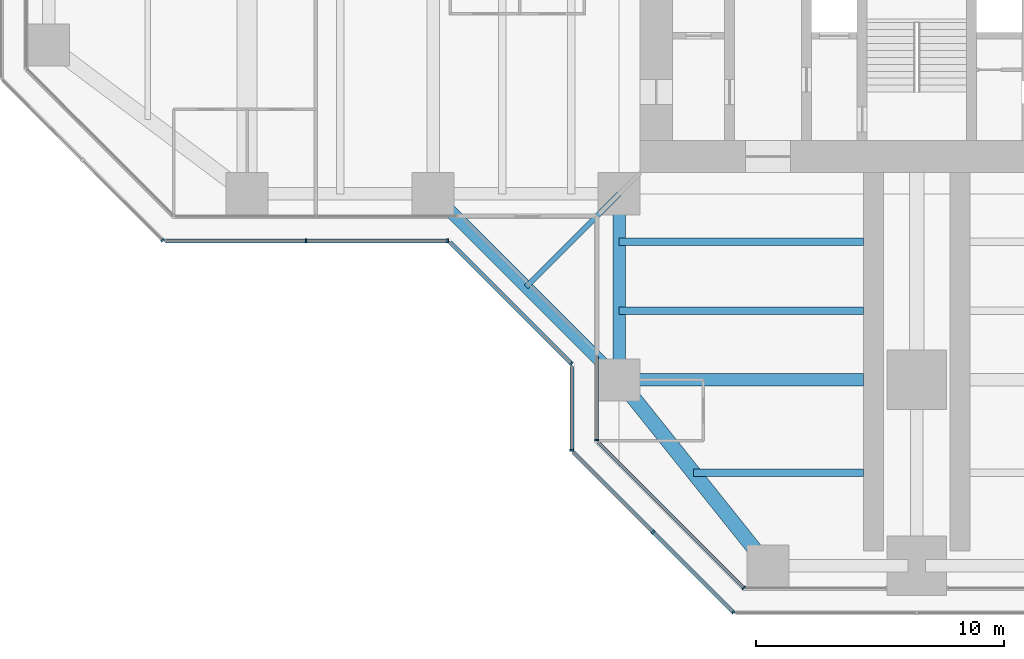
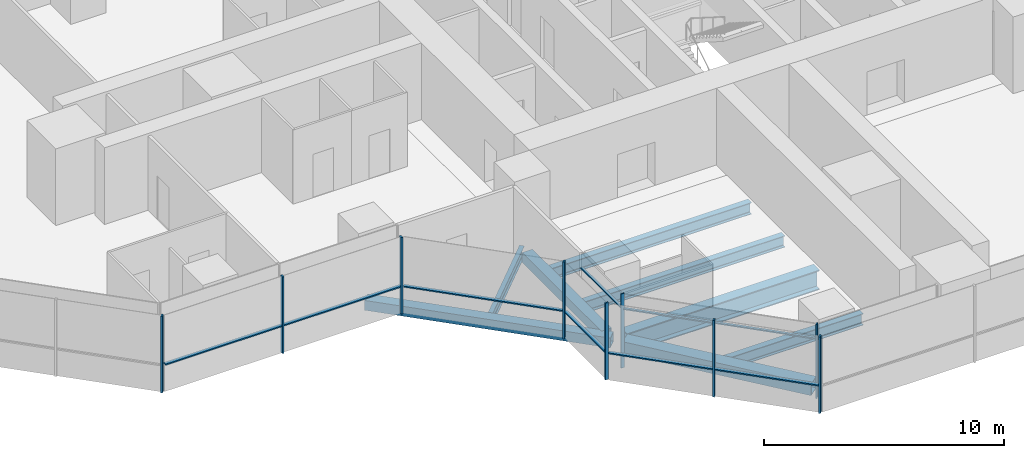
# One storey, part 2 of 20: 17 members, 8 beams, 7 elements without a shape of their own.
"""IFC4 building model written with IfcOpenShell, lengths in metres."""

from ifc_helpers import new_model, si_unit, direction, frame, origin, origin_2d, place, context, subcontext, project, spatial, rectangle, hollow_rectangle, i_section, extrude, material, material_profile, profile_set, type_object, element, aggregate, save


model = new_model("IFC4")

# Units and contexts
model_context = context("Model", 3, precision=1e-05, world=origin(), true_north=direction((0.0, 1.0)))
body_context = subcontext(model_context, "Body", "Model", "MODEL_VIEW")
ifc_project = project(units=[si_unit("LENGTHUNIT", "METRE"), si_unit("AREAUNIT", "SQUARE_METRE"), si_unit("VOLUMEUNIT", "CUBIC_METRE"), si_unit("PLANEANGLEUNIT", "RADIAN"), si_unit("MASSUNIT", "GRAM", prefix="KILO")], contexts=[model_context])

# Site, building, storey
site_placement = place(None, origin())
site = spatial("IfcSite", under=ifc_project, at=site_placement, CompositionType="ELEMENT")
building_placement = place(site_placement, origin())
building = spatial("IfcBuilding", under=site, at=building_placement, Name="Mizan Broadcast Tower", CompositionType="ELEMENT")
storey_placement = place(building_placement, frame((0.0, 0.0, 143.699951171875)))
storey = spatial("IfcBuildingStorey", under=building, at=storey_placement, Name="L32", CompositionType="ELEMENT", Elevation=143.699951171875)

# Beams
ifc_material_1 = material(Name="Steel S355", Category="steel")
ifc_material_profile_1 = material_profile(ifc_material_1, hollow_rectangle(XDim=0.5, YDim=0.5, WallThickness=0.030029296875, at=origin_2d()), Name="BOX 500x500x30")
ifc_profile_set_1 = profile_set([ifc_material_profile_1], Name="Steel S355")
beam_type_1 = type_object("IfcBeamType", Name="EDGE BEAM BOX 500x500x30", PredefinedType="SPANDREL", material=ifc_profile_set_1)
beam_1_placement = place(storey_placement, frame((-12.0, -12.449951171875, -0.3798828125), z_axis=(0.0, -1.0, 0.0), x_axis=(1.0, 0.0, 0.0)))
element("IfcBeam", 1, at=beam_1_placement, inside=storey, type_object=beam_type_1, Name="Edge beam BOX 500x500x30 L32 south arm", PredefinedType="SPANDREL", context=body_context, shape_type="SweptSolid", body=[
    extrude(hollow_rectangle(XDim=0.5, YDim=0.5, WallThickness=0.030029296875, at=origin_2d()), origin(), (0.0, 0.0, 1.0), 6.60009765625),
])
beam_2_placement = place(storey_placement, frame((-19.5, -12.0, -0.3798828125), z_axis=(0.707106781187, -0.707106781187, 0.0), x_axis=(0.707106781187, 0.707106781187, 0.0)))
element("IfcBeam", 2, at=beam_2_placement, inside=storey, type_object=beam_type_1, Name="Winter garden edge beam L32 W", PredefinedType="SPANDREL", context=body_context, shape_type="SweptSolid", body=[
    extrude(hollow_rectangle(XDim=0.5, YDim=0.5, WallThickness=0.030029296875, at=origin_2d()), origin(), (0.0, 0.0, 1.0), 10.606689453125),
])
ifc_material_2 = material(Name="Steel S355", Category="steel")
ifc_material_profile_2 = material_profile(ifc_material_2, hollow_rectangle(XDim=0.60009765625, YDim=0.60009765625, WallThickness=0.030029296875, at=origin_2d()), Name="BOX 600x600x30")
ifc_profile_set_2 = profile_set([ifc_material_profile_2], Name="Steel S355")
beam_type_2 = type_object("IfcBeamType", Name="EDGE BEAM BOX 600x600x30", PredefinedType="SPANDREL", material=ifc_profile_set_2)
beam_3_placement = place(storey_placement, frame((-11.639892578125, -19.949951171875, -0.429931640625), z_axis=(0.624673911726, -0.780885717636, 0.0), x_axis=(0.780885717636, 0.624673911726, 0.0)))
element("IfcBeam", 3, at=beam_3_placement, inside=storey, type_object=beam_type_2, Name="Edge beam BOX 600x600x30 L32 south arm", PredefinedType="SPANDREL", context=body_context, shape_type="SweptSolid", body=[
    extrude(hollow_rectangle(XDim=0.60009765625, YDim=0.60009765625, WallThickness=0.030029296875, at=origin_2d()), origin(), (0.0, 0.0, 1.0), 8.4521484375),
])
ifc_material_3 = material(Name="Steel S460", Category="steel")
ifc_material_profile_3 = material_profile(ifc_material_3, i_section(OverallWidth=0.5, OverallDepth=1.0, WebThickness=0.02490234375, FlangeThickness=0.050048828125, at=origin_2d()), Name="WPG 1000x500")
ifc_profile_set_3 = profile_set([ifc_material_profile_3], Name="Steel S460")
beam_type_3 = type_object("IfcBeamType", Name="GIRDER WPG 1000x500", PredefinedType="BEAM", material=ifc_profile_set_3)
beam_4_placement = place(storey_placement, frame((-11.408935546875, -19.5, -0.6298828125), z_axis=(1.0, 0.0, 0.0), x_axis=(0.0, 1.0, 0.0)))
element("IfcBeam", 4, at=beam_4_placement, inside=storey, type_object=beam_type_3, Name="Girder WPG 1000x500 L32 south arm", PredefinedType="BEAM", context=body_context, shape_type="SweptSolid", body=[
    extrude(i_section(OverallWidth=0.5, OverallDepth=1.0, WebThickness=0.02490234375, FlangeThickness=0.050048828125, at=origin_2d()), origin(), (0.0, 0.0, 1.0), 9.259033203125),
])

# Curtain wall, member
ifc_material_4 = material(Name="Aluminium framed glazing", Category="aluminium")
curtain_wall_type_1 = type_object("IfcCurtainWallType", Name="INNER SKIN MID ZONE", PredefinedType="USERDEFINED", material=ifc_material_4)
curtain_wall_1_placement = place(storey_placement, origin())
curtain_wall_1 = element("IfcCurtainWall", 5, at=curtain_wall_1_placement, inside=storey, type_object=curtain_wall_type_1, Name="Inner skin mid zone L32 S side", ObjectType="INNER SKIN MID ZONE", PredefinedType="USERDEFINED")
ifc_material_5 = material(Name="Aluminium, pale anodised", Category="aluminium")
ifc_material_profile_4 = material_profile(ifc_material_5, rectangle(XDim=0.159912109375, YDim=0.06005859375, at=origin_2d()), Name="MULLION 160x60")
ifc_profile_set_4 = profile_set([ifc_material_profile_4], Name="Aluminium, pale anodised")
member_type_1 = type_object("IfcMemberType", Name="INNER SKIN MULLION 60x160", PredefinedType="MULLION", material=ifc_profile_set_4)
member_1_placement = place(storey_placement, frame((-12.89990234375, -21.928466796875, 0.0), z_axis=(0.0, 0.0, 1.0), x_axis=(1.0, 0.0, 0.0)))
member_1 = element("IfcMember", 6, at=member_1_placement, type_object=member_type_1, Name="Inner skin mid zone L32 S side mullion 2", PredefinedType="MULLION", context=body_context, shape_type="SweptSolid", body=[
    extrude(rectangle(XDim=0.159912109375, YDim=0.06005859375, at=origin_2d()), origin(), (0.0, 0.0, 1.0), 3.77001953125),
])

curtain_wall_2_placement = place(storey_placement, origin())
curtain_wall_2 = element("IfcCurtainWall", 7, at=curtain_wall_2_placement, inside=storey, type_object=curtain_wall_type_1, Name="Inner skin mid zone L32 S chamfer", ObjectType="INNER SKIN MID ZONE", PredefinedType="USERDEFINED")
member_2_placement = place(storey_placement, frame((-6.979736328125, -27.87890625, 0.0), z_axis=(0.0, 0.0, 1.0), x_axis=(0.707106781187, 0.707106781187, 0.0)))
member_2 = element("IfcMember", 8, at=member_2_placement, type_object=member_type_1, Name="Inner skin mid zone L32 S chamfer mullion 2", PredefinedType="MULLION", context=body_context, shape_type="SweptSolid", body=[
    extrude(rectangle(XDim=0.159912109375, YDim=0.06005859375, at=origin_2d()), origin(), (0.0, 0.0, 1.0), 3.77001953125),
])

# Member
ifc_material_6 = material(Name="Aluminium, pale anodised", Category="aluminium")
ifc_material_profile_5 = material_profile(ifc_material_6, rectangle(XDim=0.1201171875, YDim=0.06005859375, at=origin_2d()), Name="TRANSOM 120x60")
ifc_profile_set_5 = profile_set([ifc_material_profile_5], Name="Aluminium, pale anodised")
member_type_2 = type_object("IfcMemberType", Name="INNER SKIN TRANSOM 60x120", PredefinedType="USERDEFINED", material=ifc_profile_set_5)
member_3_placement = place(storey_placement, frame((-12.89990234375, -18.56005859375, 3.030029296875), z_axis=(0.0, -1.0, 0.0), x_axis=(1.0, 0.0, 0.0)))
member_3 = element("IfcMember", 9, at=member_3_placement, type_object=member_type_2, Name="Inner skin mid zone L32 S side transom 1.1", ObjectType="TRANSOM", PredefinedType="USERDEFINED", context=body_context, shape_type="SweptSolid", body=[
    extrude(rectangle(XDim=0.1201171875, YDim=0.06005859375, at=origin_2d()), origin(), (0.0, 0.0, 1.0), 3.338623046875),
])

aggregate(curtain_wall_1, [member_1, member_3])

member_4_placement = place(storey_placement, frame((-12.857666015625, -22.0009765625, 3.030029296875), z_axis=(0.707106781187, -0.707106781187, 0.0), x_axis=(0.707106781187, 0.707106781187, 0.0)))
member_4 = element("IfcMember", 10, at=member_4_placement, type_object=member_type_2, Name="Inner skin mid zone L32 S chamfer transom 1.1", ObjectType="TRANSOM", PredefinedType="USERDEFINED", context=body_context, shape_type="SweptSolid", body=[
    extrude(rectangle(XDim=0.1201171875, YDim=0.06005859375, at=origin_2d()), origin(), (0.0, 0.0, 1.0), 8.28271484375),
])

aggregate(curtain_wall_2, [member_2, member_4])

# Curtain wall, member
ifc_material_7 = material(Name="Aluminium framed glazing", Category="aluminium")
curtain_wall_type_2 = type_object("IfcCurtainWallType", Name="OUTER SKIN", PredefinedType="USERDEFINED", material=ifc_material_7)
curtain_wall_3_placement = place(storey_placement, origin())
curtain_wall_3 = element("IfcCurtainWall", 11, at=curtain_wall_3_placement, inside=storey, type_object=curtain_wall_type_2, Name="Outer skin L32 W chamfer", ObjectType="OUTER SKIN", PredefinedType="USERDEFINED")
ifc_material_8 = material(Name="Aluminium, pale anodised", Category="aluminium")
ifc_material_profile_6 = material_profile(ifc_material_8, rectangle(XDim=0.159912109375, YDim=0.080078125, at=origin_2d()), Name="MULLION 160x80")
ifc_profile_set_6 = profile_set([ifc_material_profile_6], Name="Aluminium, pale anodised")
member_type_3 = type_object("IfcMemberType", Name="OUTER SKIN MULLION 80x160", PredefinedType="MULLION", material=ifc_profile_set_6)
member_5_placement = place(storey_placement, frame((-30.401123046875, -13.871826171875, 0.0), z_axis=(0.0, 0.0, 1.0), x_axis=(0.707106781187, 0.707106781187, 0.0)))
member_5 = element("IfcMember", 12, at=member_5_placement, type_object=member_type_3, Name="Outer skin L32 W chamfer mullion 3", PredefinedType="MULLION", context=body_context, shape_type="SweptSolid", body=[
    extrude(rectangle(XDim=0.159912109375, YDim=0.080078125, at=origin_2d()), origin(), (0.0, 0.0, 1.0), 3.900146484375),
])
aggregate(curtain_wall_3, [member_5])

# Curtain wall, members
curtain_wall_4_placement = place(storey_placement, origin())
curtain_wall_4 = element("IfcCurtainWall", 13, at=curtain_wall_4_placement, inside=storey, type_object=curtain_wall_type_2, Name="Outer skin L32 W side", ObjectType="OUTER SKIN", PredefinedType="USERDEFINED")
member_6_placement = place(storey_placement, frame((-24.622802734375, -13.89990234375, 0.0), z_axis=(0.0, 0.0, 1.0), x_axis=(0.0, 1.0, 0.0)))
member_6 = element("IfcMember", 14, at=member_6_placement, type_object=member_type_3, Name="Outer skin L32 W side mullion 2", PredefinedType="MULLION", context=body_context, shape_type="SweptSolid", body=[
    extrude(rectangle(XDim=0.159912109375, YDim=0.080078125, at=origin_2d()), origin(), (0.0, 0.0, 1.0), 3.900146484375),
])
member_7_placement = place(storey_placement, frame((-18.912841796875, -13.89990234375, 0.0), z_axis=(0.0, 0.0, 1.0), x_axis=(0.0, 1.0, 0.0)))
member_7 = element("IfcMember", 15, at=member_7_placement, type_object=member_type_3, Name="Outer skin L32 W side mullion 3", PredefinedType="MULLION", context=body_context, shape_type="SweptSolid", body=[
    extrude(rectangle(XDim=0.159912109375, YDim=0.080078125, at=origin_2d()), origin(), (0.0, 0.0, 1.0), 3.900146484375),
])

# Curtain wall, member
curtain_wall_5_placement = place(storey_placement, origin())
curtain_wall_5 = element("IfcCurtainWall", 16, at=curtain_wall_5_placement, inside=storey, type_object=curtain_wall_type_2, Name="Outer skin L32 W chamfer", ObjectType="OUTER SKIN", PredefinedType="USERDEFINED")
member_8_placement = place(storey_placement, frame((-13.92822265625, -18.844482421875, 0.0), z_axis=(0.0, 0.0, 1.0), x_axis=(0.707106781187, 0.707106781187, 0.0)))
member_8 = element("IfcMember", 17, at=member_8_placement, type_object=member_type_3, Name="Outer skin L32 W chamfer mullion 2", PredefinedType="MULLION", context=body_context, shape_type="SweptSolid", body=[
    extrude(rectangle(XDim=0.159912109375, YDim=0.080078125, at=origin_2d()), origin(), (0.0, 0.0, 1.0), 3.900146484375),
])

curtain_wall_6_placement = place(storey_placement, origin())
curtain_wall_6 = element("IfcCurtainWall", 18, at=curtain_wall_6_placement, inside=storey, type_object=curtain_wall_type_2, Name="Outer skin L32 S side", ObjectType="OUTER SKIN", PredefinedType="USERDEFINED")
member_9_placement = place(storey_placement, frame((-13.89990234375, -22.332763671875, 0.0), z_axis=(0.0, 0.0, 1.0), x_axis=(1.0, 0.0, 0.0)))
member_9 = element("IfcMember", 19, at=member_9_placement, type_object=member_type_3, Name="Outer skin L32 S side mullion 2", PredefinedType="MULLION", context=body_context, shape_type="SweptSolid", body=[
    extrude(rectangle(XDim=0.159912109375, YDim=0.080078125, at=origin_2d()), origin(), (0.0, 0.0, 1.0), 3.900146484375),
])

# Curtain wall, members
curtain_wall_7_placement = place(storey_placement, origin())
curtain_wall_7 = element("IfcCurtainWall", 20, at=curtain_wall_7_placement, inside=storey, type_object=curtain_wall_type_2, Name="Outer skin L32 S chamfer", ObjectType="OUTER SKIN", PredefinedType="USERDEFINED")
member_10_placement = place(storey_placement, frame((-10.636474609375, -25.636474609375, 0.0), z_axis=(0.0, 0.0, 1.0), x_axis=(0.707106781187, 0.707106781187, 0.0)))
member_10 = element("IfcMember", 21, at=member_10_placement, type_object=member_type_3, Name="Outer skin L32 S chamfer mullion 2", PredefinedType="MULLION", context=body_context, shape_type="SweptSolid", body=[
    extrude(rectangle(XDim=0.159912109375, YDim=0.080078125, at=origin_2d()), origin(), (0.0, 0.0, 1.0), 3.900146484375),
])
member_11_placement = place(storey_placement, frame((-7.401123046875, -28.871826171875, 0.0), z_axis=(0.0, 0.0, 1.0), x_axis=(0.707106781187, 0.707106781187, 0.0)))
member_11 = element("IfcMember", 22, at=member_11_placement, type_object=member_type_3, Name="Outer skin L32 S chamfer mullion 3", PredefinedType="MULLION", context=body_context, shape_type="SweptSolid", body=[
    extrude(rectangle(XDim=0.159912109375, YDim=0.080078125, at=origin_2d()), origin(), (0.0, 0.0, 1.0), 3.900146484375),
])

# Member
ifc_material_9 = material(Name="Aluminium, pale anodised", Category="aluminium")
ifc_material_profile_7 = material_profile(ifc_material_9, rectangle(XDim=0.159912109375, YDim=0.06005859375, at=origin_2d()), Name="TRANSOM 160x60")
ifc_profile_set_7 = profile_set([ifc_material_profile_7], Name="Aluminium, pale anodised")
member_type_4 = type_object("IfcMemberType", Name="OUTER SKIN TRANSOM 60x160", PredefinedType="USERDEFINED", material=ifc_profile_set_7)
member_12_placement = place(storey_placement, frame((-30.292724609375, -13.89990234375, 1.400146484375), z_axis=(1.0, 0.0, 0.0), x_axis=(0.0, 1.0, 0.0)))
member_12 = element("IfcMember", 23, at=member_12_placement, type_object=member_type_4, Name="Outer skin L32 W side transom 1.1", ObjectType="TRANSOM", PredefinedType="USERDEFINED", context=body_context, shape_type="SweptSolid", body=[
    extrude(rectangle(XDim=0.159912109375, YDim=0.06005859375, at=origin_2d()), origin(), (0.0, 0.0, 1.0), 5.6298828125),
])

member_13_placement = place(storey_placement, frame((-24.582763671875, -13.89990234375, 1.400146484375), z_axis=(1.0, 0.0, 0.0), x_axis=(0.0, 1.0, 0.0)))
member_13 = element("IfcMember", 24, at=member_13_placement, type_object=member_type_4, Name="Outer skin L32 W side transom 2.1", ObjectType="TRANSOM", PredefinedType="USERDEFINED", context=body_context, shape_type="SweptSolid", body=[
    extrude(rectangle(XDim=0.159912109375, YDim=0.06005859375, at=origin_2d()), origin(), (0.0, 0.0, 1.0), 5.6298828125),
])

aggregate(curtain_wall_4, [member_6, member_7, member_12, member_13])

member_14_placement = place(storey_placement, frame((-18.816162109375, -13.95654296875, 1.400146484375), z_axis=(0.707106781187, -0.707106781187, 0.0), x_axis=(0.707106781187, 0.707106781187, 0.0)))
member_14 = element("IfcMember", 25, at=member_14_placement, type_object=member_type_4, Name="Outer skin L32 W chamfer transom 1.1", ObjectType="TRANSOM", PredefinedType="USERDEFINED", context=body_context, shape_type="SweptSolid", body=[
    extrude(rectangle(XDim=0.159912109375, YDim=0.06005859375, at=origin_2d()), origin(), (0.0, 0.0, 1.0), 6.87255859375),
])

aggregate(curtain_wall_5, [member_8, member_14])

member_15_placement = place(storey_placement, frame((-13.89990234375, -18.952880859375, 1.400146484375), z_axis=(0.0, -1.0, 0.0), x_axis=(1.0, 0.0, 0.0)))
member_15 = element("IfcMember", 26, at=member_15_placement, type_object=member_type_4, Name="Outer skin L32 S side transom 1.1", ObjectType="TRANSOM", PredefinedType="USERDEFINED", context=body_context, shape_type="SweptSolid", body=[
    extrude(rectangle(XDim=0.159912109375, YDim=0.06005859375, at=origin_2d()), origin(), (0.0, 0.0, 1.0), 3.33984375),
])

aggregate(curtain_wall_6, [member_9, member_15])

member_16_placement = place(storey_placement, frame((-13.843505859375, -22.429443359375, 1.400146484375), z_axis=(0.707106781187, -0.707106781187, 0.0), x_axis=(0.707106781187, 0.707106781187, 0.0)))
member_16 = element("IfcMember", 27, at=member_16_placement, type_object=member_type_4, Name="Outer skin L32 S chamfer transom 1.1", ObjectType="TRANSOM", PredefinedType="USERDEFINED", context=body_context, shape_type="SweptSolid", body=[
    extrude(rectangle(XDim=0.159912109375, YDim=0.06005859375, at=origin_2d()), origin(), (0.0, 0.0, 1.0), 4.495361328125),
])

member_17_placement = place(storey_placement, frame((-10.608154296875, -25.664794921875, 1.400146484375), z_axis=(0.707106781187, -0.707106781187, 0.0), x_axis=(0.707106781187, 0.707106781187, 0.0)))
member_17 = element("IfcMember", 28, at=member_17_placement, type_object=member_type_4, Name="Outer skin L32 S chamfer transom 2.1", ObjectType="TRANSOM", PredefinedType="USERDEFINED", context=body_context, shape_type="SweptSolid", body=[
    extrude(rectangle(XDim=0.159912109375, YDim=0.06005859375, at=origin_2d()), origin(), (0.0, 0.0, 1.0), 4.495361328125),
])

aggregate(curtain_wall_7, [member_10, member_11, member_16, member_17])

# Beams
ifc_material_10 = material(Name="Steel S355", Category="steel")
ifc_material_profile_8 = material_profile(ifc_material_10, i_section(OverallWidth=0.300048828125, OverallDepth=0.590087890625, WebThickness=0.012939453125, FlangeThickness=0.02490234375, FilletRadius=0.027099609375, at=origin_2d()), Name="HEA 600")
ifc_profile_set_8 = profile_set([ifc_material_profile_8], Name="Steel S355")
beam_type_4 = type_object("IfcBeamType", Name="SECONDARY BEAM HEA 600", PredefinedType="JOIST", material=ifc_profile_set_8)
for number, where, z_axis, x_axis, name in (
    (29, (-12.0, -13.933349609375, -0.425048828125), (1.0, 0.0, 0.0), (0.0, 1.0, 0.0), "Secondary beam HEA 600 L32 south arm"),
    (30, (-12.0, -16.716552734375, -0.425048828125), (1.0, 0.0, 0.0), (0.0, 1.0, 0.0), "Secondary beam HEA 600 L32 south arm"),
):
    element("IfcBeam", number, at=place(storey_placement, frame(where, z_axis=z_axis, x_axis=x_axis)), inside=storey, type_object=beam_type_4, Name=name, PredefinedType="JOIST", context=body_context, shape_type="SweptSolid", body=[
        extrude(i_section(OverallWidth=0.300048828125, OverallDepth=0.590087890625, WebThickness=0.012939453125, FlangeThickness=0.02490234375, FilletRadius=0.027099609375, at=origin_2d()), origin(), (0.0, 0.0, 1.0), 9.85009765625),
    ])
beam_5_placement = place(storey_placement, frame((-9.0, -23.25, -0.425048828125), z_axis=(1.0, 0.0, 0.0), x_axis=(0.0, 1.0, 0.0)))
element("IfcBeam", 31, at=beam_5_placement, inside=storey, type_object=beam_type_4, Name="Secondary beam HEA 600 L32 south arm", PredefinedType="JOIST", context=body_context, shape_type="SweptSolid", body=[
    extrude(i_section(OverallWidth=0.300048828125, OverallDepth=0.590087890625, WebThickness=0.012939453125, FlangeThickness=0.02490234375, FilletRadius=0.027099609375, at=origin_2d()), origin(), (0.0, 0.0, 1.0), 6.85009765625),
])
ifc_material_11 = material(Name="Steel S355", Category="steel")
ifc_material_profile_9 = material_profile(ifc_material_11, i_section(OverallWidth=0.2099609375, OverallDepth=0.550048828125, WebThickness=0.010986328125, FlangeThickness=0.01708984375, FilletRadius=0.02392578125, at=origin_2d()), Name="IPE 550")
ifc_profile_set_9 = profile_set([ifc_material_profile_9], Name="Steel S355")
beam_type_5 = type_object("IfcBeamType", Name="SECONDARY BEAM IPE 550", PredefinedType="JOIST", material=ifc_profile_set_9)
beam_6_placement = place(storey_placement, frame((-12.0, -12.0, -0.405029296875), z_axis=(-0.707106781187, -0.707106781187, 0.0), x_axis=(0.707106781187, -0.707106781187, 0.0)))
element("IfcBeam", 32, at=beam_6_placement, inside=storey, type_object=beam_type_5, Name="Winter garden beam L32 W", PredefinedType="JOIST", context=body_context, shape_type="SweptSolid", body=[
    extrude(i_section(OverallWidth=0.2099609375, OverallDepth=0.550048828125, WebThickness=0.010986328125, FlangeThickness=0.01708984375, FilletRadius=0.02392578125, at=origin_2d()), origin(), (0.0, 0.0, 1.0), 5.30322265625),
])

save(model, "model.ifc")
